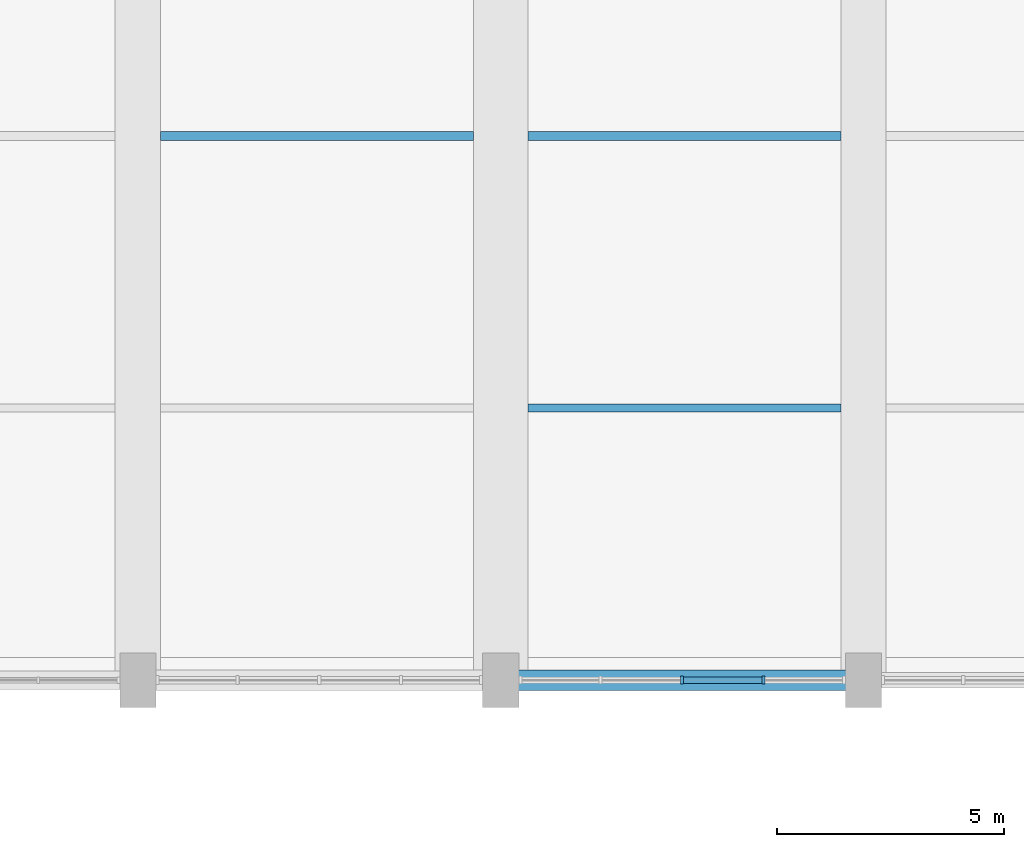
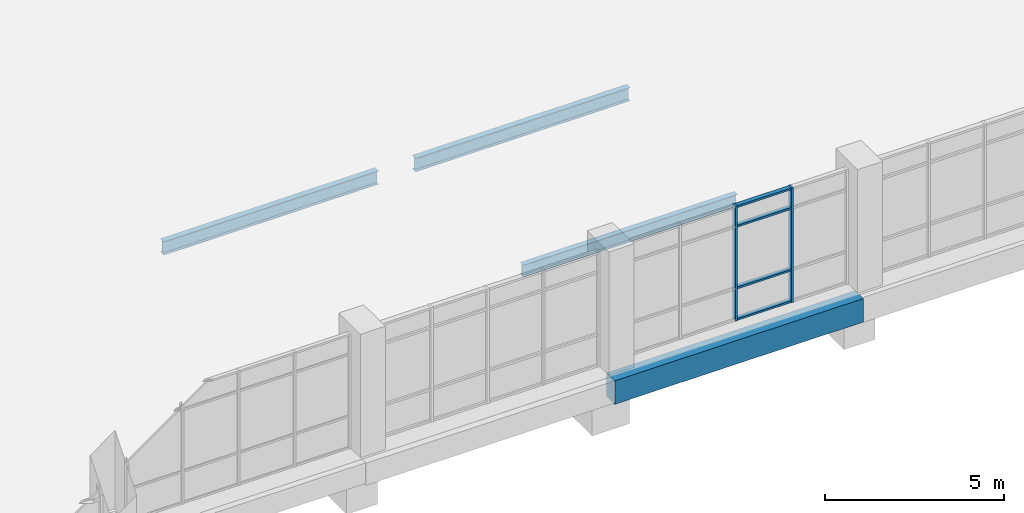
# One storey, part 5 of 84: 6 members, 4 beams, 1 element without a shape of its own.
"""IFC4 building model written with IfcOpenShell, lengths in metres."""

from ifc_helpers import new_model, si_unit, direction, frame, origin, origin_2d, place, context, subcontext, project, spatial, rectangle, i_section, extrude, material, material_profile, profile_set, type_object, element, aggregate, save


model = new_model("IFC4")

# Units and contexts
model_context = context("Model", 3, precision=1e-05, world=origin(), true_north=direction((0.0, 1.0)))
body_context = subcontext(model_context, "Body", "Model", "MODEL_VIEW")
ifc_project = project(units=[si_unit("LENGTHUNIT", "METRE"), si_unit("AREAUNIT", "SQUARE_METRE"), si_unit("VOLUMEUNIT", "CUBIC_METRE"), si_unit("PLANEANGLEUNIT", "RADIAN"), si_unit("MASSUNIT", "GRAM", prefix="KILO")], contexts=[model_context])

# Site, building, storey
site_placement = place(None, origin())
site = spatial("IfcSite", under=ifc_project, at=site_placement, CompositionType="ELEMENT")
building_placement = place(site_placement, origin())
building = spatial("IfcBuilding", under=site, at=building_placement, Name="Tenunan Teduh Sports Hall", CompositionType="ELEMENT")
storey_placement = place(building_placement, frame((0.0, 0.0, 10.800048828125)))
storey = spatial("IfcBuildingStorey", under=building, at=storey_placement, Name="L02", CompositionType="ELEMENT", Elevation=10.800048828125)

# Beam
ifc_material_1 = material(Name="Concrete C40/50", Category="concrete")
ifc_material_profile_1 = material_profile(ifc_material_1, rectangle(XDim=0.449951171875, YDim=0.800048828125, at=origin_2d()), Name="RCB 450x800")
ifc_profile_set_1 = profile_set([ifc_material_profile_1], Name="Concrete C40/50")
beam_type_1 = type_object("IfcBeamType", Name="BM-RC-450x800", PredefinedType="BEAM", material=ifc_profile_set_1)
beam_1_placement = place(storey_placement, frame((30.0, 14.0, -0.949951171875), z_axis=(1.0, 0.0, 0.0), x_axis=(0.0, 1.0, 0.0)))
element("IfcBeam", 1, at=beam_1_placement, inside=storey, type_object=beam_type_1, Name="BM-B-12-L02-1455", PredefinedType="BEAM", context=body_context, shape_type="SweptSolid", body=[
    extrude(rectangle(XDim=0.449951171875, YDim=0.800048828125, at=origin_2d()), origin(), (0.0, 0.0, 1.0), 8.0),
])

# Curtain wall, members
ifc_material_2 = material(Name="Anodised aluminium", Category="aluminium")
curtain_wall_type = type_object("IfcCurtainWallType", Name="CW-UNIT-2", PredefinedType="NOTDEFINED", material=ifc_material_2)
curtain_wall_placement = place(storey_placement, origin())
curtain_wall = element("IfcCurtainWall", 2, at=curtain_wall_placement, inside=storey, type_object=curtain_wall_type, Name="CW-CWM-175-L02-062", PredefinedType="NOTDEFINED")
ifc_material_3 = material(Name="Anodised aluminium", Category="aluminium")
ifc_material_profile_2 = material_profile(ifc_material_3, rectangle(XDim=0.06494140625, YDim=0.175048828125, at=origin_2d()), Name="CWM 65x175")
ifc_profile_set_2 = profile_set([ifc_material_profile_2], Name="Anodised aluminium")
member_type_1 = type_object("IfcMemberType", Name="CWM-175", PredefinedType="MULLION", material=ifc_profile_set_2)
member_1_placement = place(storey_placement, frame((34.0, 14.0, 0.0), z_axis=(0.0, 0.0, 1.0), x_axis=(1.0, 0.0, 0.0)))
member_1 = element("IfcMember", 3, at=member_1_placement, type_object=member_type_1, Name="CW-02 mullion 3", PredefinedType="MULLION", context=body_context, shape_type="SweptSolid", body=[
    extrude(rectangle(XDim=0.06494140625, YDim=0.175048828125, at=origin_2d()), origin(), (0.0, 0.0, 1.0), 3.89990234375),
])
member_2_placement = place(storey_placement, frame((35.800048828125, 14.0, 0.0), z_axis=(0.0, 0.0, 1.0), x_axis=(1.0, 0.0, 0.0)))
member_2 = element("IfcMember", 4, at=member_2_placement, type_object=member_type_1, Name="CW-02 mullion 4", PredefinedType="MULLION", context=body_context, shape_type="SweptSolid", body=[
    extrude(rectangle(XDim=0.06494140625, YDim=0.175048828125, at=origin_2d()), origin(), (0.0, 0.0, 1.0), 3.89990234375),
])
ifc_material_4 = material(Name="Anodised aluminium", Category="aluminium")
ifc_material_profile_3 = material_profile(ifc_material_4, rectangle(XDim=0.06494140625, YDim=0.139892578125, at=origin_2d()), Name="CWT 65x140")
ifc_profile_set_3 = profile_set([ifc_material_profile_3], Name="Anodised aluminium")
member_type_2 = type_object("IfcMemberType", Name="CWT-150", PredefinedType="USERDEFINED", material=ifc_profile_set_3)
member_3_placement = place(storey_placement, frame((34.032470703125, 14.0, 0.032470703125), z_axis=(1.0, 0.0, 0.0), x_axis=(0.0, 0.0, 1.0)))
member_3 = element("IfcMember", 5, at=member_3_placement, type_object=member_type_2, Name="CW-02 transom 3.1", ObjectType="TRANSOM", PredefinedType="USERDEFINED", context=body_context, shape_type="SweptSolid", body=[
    extrude(rectangle(XDim=0.06494140625, YDim=0.139892578125, at=origin_2d()), origin(), (0.0, 0.0, 1.0), 1.735107421875),
])
member_4_placement = place(storey_placement, frame((34.032470703125, 14.0, 1.099853515625), z_axis=(1.0, 0.0, 0.0), x_axis=(0.0, 0.0, 1.0)))
member_4 = element("IfcMember", 6, at=member_4_placement, type_object=member_type_2, Name="CW-02 transom 3.2", ObjectType="TRANSOM", PredefinedType="USERDEFINED", context=body_context, shape_type="SweptSolid", body=[
    extrude(rectangle(XDim=0.06494140625, YDim=0.139892578125, at=origin_2d()), origin(), (0.0, 0.0, 1.0), 1.735107421875),
])
member_5_placement = place(storey_placement, frame((34.032470703125, 14.0, 3.199951171875), z_axis=(1.0, 0.0, 0.0), x_axis=(0.0, 0.0, 1.0)))
member_5 = element("IfcMember", 7, at=member_5_placement, type_object=member_type_2, Name="CW-02 transom 3.3", ObjectType="TRANSOM", PredefinedType="USERDEFINED", context=body_context, shape_type="SweptSolid", body=[
    extrude(rectangle(XDim=0.06494140625, YDim=0.139892578125, at=origin_2d()), origin(), (0.0, 0.0, 1.0), 1.735107421875),
])
member_6_placement = place(storey_placement, frame((34.032470703125, 14.0, 3.867431640625), z_axis=(1.0, 0.0, 0.0), x_axis=(0.0, 0.0, 1.0)))
member_6 = element("IfcMember", 8, at=member_6_placement, type_object=member_type_2, Name="CW-02 transom 3.4", ObjectType="TRANSOM", PredefinedType="USERDEFINED", context=body_context, shape_type="SweptSolid", body=[
    extrude(rectangle(XDim=0.06494140625, YDim=0.139892578125, at=origin_2d()), origin(), (0.0, 0.0, 1.0), 1.735107421875),
])
aggregate(curtain_wall, [member_1, member_2, member_3, member_4, member_5, member_6])

# Beams
ifc_material_5 = material(Name="Steel S355", Category="steel")
ifc_material_profile_4 = material_profile(ifc_material_5, i_section(OverallWidth=0.177978515625, OverallDepth=0.406494140625, WebThickness=0.0078125, FlangeThickness=0.0126953125, FilletRadius=0.01025390625, at=origin_2d()), Name="UKB 406x178x60")
ifc_profile_set_4 = profile_set([ifc_material_profile_4], Name="Steel S355")
beam_type_2 = type_object("IfcBeamType", Name="SBM-UKB406", PredefinedType="BEAM", material=ifc_profile_set_4)
beam_2_placement = place(storey_placement, frame((30.60009765625, 20.0, -0.753173828125), z_axis=(1.0, 0.0, 0.0), x_axis=(0.0, 1.0, 0.0)))
element("IfcBeam", 9, at=beam_2_placement, inside=storey, type_object=beam_type_2, Name="BM-SB-03-L02-0017", PredefinedType="BEAM", context=body_context, shape_type="SweptSolid", body=[
    extrude(i_section(OverallWidth=0.177978515625, OverallDepth=0.406494140625, WebThickness=0.0078125, FlangeThickness=0.0126953125, FilletRadius=0.01025390625, at=origin_2d()), origin(), (0.0, 0.0, 1.0), 6.89990234375),
])
ifc_material_6 = material(Name="Steel S355", Category="steel")
ifc_material_profile_5 = material_profile(ifc_material_6, i_section(OverallWidth=0.1904296875, OverallDepth=0.45703125, WebThickness=0.009033203125, FlangeThickness=0.014404296875, FilletRadius=0.01025390625, at=origin_2d()), Name="UKB 457x191x74")
ifc_profile_set_5 = profile_set([ifc_material_profile_5], Name="Steel S355")
beam_type_3 = type_object("IfcBeamType", Name="SBM-UKB457", PredefinedType="BEAM", material=ifc_profile_set_5)
for number, where, z_axis, x_axis, name in (
    (10, (22.5, 26.0, -0.778564453125), (1.0, 0.0, 0.0), (0.0, 1.0, 0.0), "BM-SB-04-L02-0013"),
    (11, (30.60009765625, 26.0, -0.778564453125), (1.0, 0.0, 0.0), (0.0, 1.0, 0.0), "BM-SB-04-L02-0018"),
):
    element("IfcBeam", number, at=place(storey_placement, frame(where, z_axis=z_axis, x_axis=x_axis)), inside=storey, type_object=beam_type_3, Name=name, PredefinedType="BEAM", context=body_context, shape_type="SweptSolid", body=[
        extrude(i_section(OverallWidth=0.1904296875, OverallDepth=0.45703125, WebThickness=0.009033203125, FlangeThickness=0.014404296875, FilletRadius=0.01025390625, at=origin_2d()), origin(), (0.0, 0.0, 1.0), 6.89990234375),
    ])

save(model, "model.ifc")
